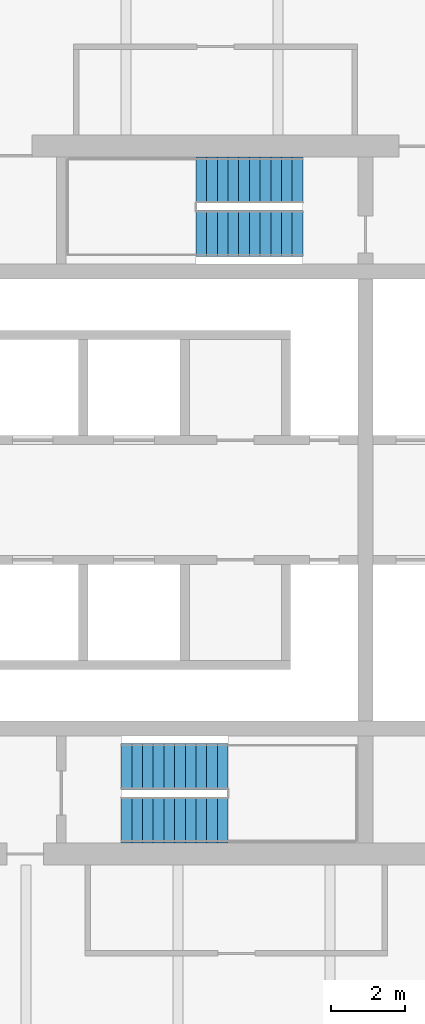
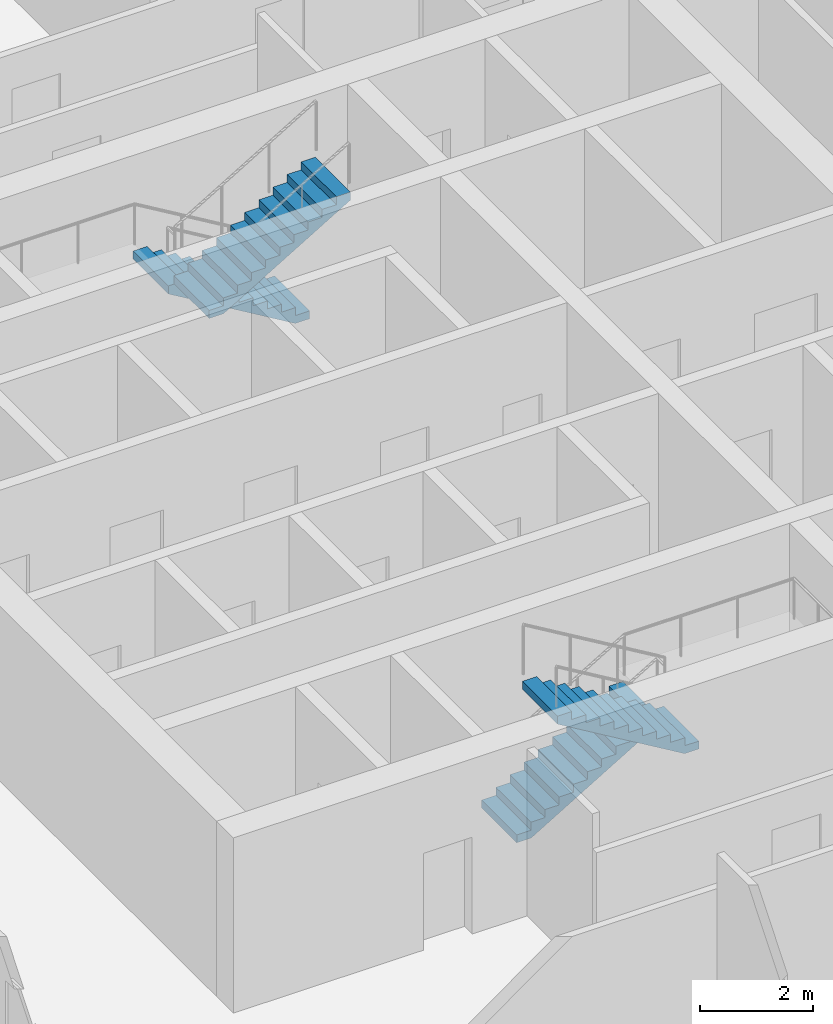
# One storey, part 7 of 8: 4 stair flights, 2 elements without a shape of their own.
"""IFC4 building model written with IfcOpenShell, lengths in metres."""

from ifc_helpers import new_model, si_unit, direction, frame, origin, place, context, subcontext, project, spatial, polyline, outline, extrude, material, type_object, element, aggregate, save


model = new_model("IFC4")

# Units and contexts
model_context = context("Model", 3, precision=1e-05, world=origin(), true_north=direction((0.0, 1.0)))
body_context = subcontext(model_context, "Body", "Model", "MODEL_VIEW")
ifc_project = project(units=[si_unit("LENGTHUNIT", "METRE"), si_unit("AREAUNIT", "SQUARE_METRE"), si_unit("VOLUMEUNIT", "CUBIC_METRE"), si_unit("PLANEANGLEUNIT", "RADIAN"), si_unit("MASSUNIT", "GRAM", prefix="KILO")], contexts=[model_context])

# Site, building, storey
site_placement = place(None, origin())
site = spatial("IfcSite", under=ifc_project, at=site_placement, CompositionType="ELEMENT")
building_placement = place(site_placement, origin())
building = spatial("IfcBuilding", under=site, at=building_placement, Name="Ostroluk Exchange", CompositionType="ELEMENT")
storey_placement = place(building_placement, frame((0.0, 0.0, 169.199951171875)))
storey = spatial("IfcBuildingStorey", under=building, at=storey_placement, Name="L43", CompositionType="ELEMENT", Elevation=169.199951171875)

# Stair, stair flights
ifc_material_1 = material(Name="Concrete C30/37", Category="concrete")
stair_type = type_object("IfcStairType", Name="Exit stair half turn 3800", PredefinedType="HALF_TURN_STAIR", material=ifc_material_1)
stair_1_placement = place(storey_placement, origin())
stair_1 = element("IfcStair", 1, at=stair_1_placement, inside=storey, type_object=stair_type, Name="Stair T1-S1 L43", PredefinedType="HALF_TURN_STAIR")
ifc_material_2 = material(Name="Concrete C30/37", Category="concrete")
stair_flight_type = type_object("IfcStairFlightType", Name="Stair flight 11 risers 172.7 x 290", PredefinedType="STRAIGHT", material=ifc_material_2)
stair_flight_1_placement = place(storey_placement, frame((42.10009765625, 38.77490234375, 0.0), z_axis=(0.0, 0.0, 1.0), x_axis=(1.0, 0.0, 0.0)))
stair_flight_1 = element("IfcStairFlight", 2, at=stair_flight_1_placement, type_object=stair_flight_type, Name="T1-S1 flight 1", NumberOfRisers=11, NumberOfTreads=10, PredefinedType="STRAIGHT", RiserHeight=0.172727273, TreadLength=0.29, context=body_context, shape_type="SweptSolid", body=[
    extrude(outline(polyline([(0.0, 0.0), (0.0, 0.172607421875), (0.2900390625, 0.172607421875), (0.2900390625, 0.345458984375), (0.580078125, 0.345458984375), (0.580078125, 0.51806640625), (0.8701171875, 0.51806640625), (0.8701171875, 0.69091796875), (1.159912109375, 0.69091796875), (1.159912109375, 0.863525390625), (1.449951171875, 0.863525390625), (1.449951171875, 1.036376953125), (1.739990234375, 1.036376953125), (1.739990234375, 1.208984375), (2.030029296875, 1.208984375), (2.030029296875, 1.3818359375), (2.320068359375, 1.3818359375), (2.320068359375, 1.554443359375), (2.610107421875, 1.554443359375), (2.610107421875, 1.727294921875), (2.89990234375, 1.727294921875), (2.89990234375, 1.89990234375), (2.89990234375, 1.552734375), (0.29296875, 0.0), (0.0, 0.0)])), frame((0.0, 0.625, 0.0), z_axis=(0.0, -1.0, 0.0), x_axis=(1.0, 0.0, 0.0)), (0.0, 0.0, 1.0), 1.25),
])
stair_flight_2_placement = place(storey_placement, frame((45.0, 37.324951171875, 1.900146484375), z_axis=(0.0, 0.0, 1.0), x_axis=(-1.0, 0.0, 0.0)))
stair_flight_2 = element("IfcStairFlight", 3, at=stair_flight_2_placement, type_object=stair_flight_type, Name="T1-S1 flight 2", NumberOfRisers=11, NumberOfTreads=10, PredefinedType="STRAIGHT", RiserHeight=0.172727273, TreadLength=0.29, context=body_context, shape_type="SweptSolid", body=[
    extrude(outline(polyline([(0.0, 0.0), (0.0, 0.172607421875), (0.2900390625, 0.172607421875), (0.2900390625, 0.345458984375), (0.580078125, 0.345458984375), (0.580078125, 0.51806640625), (0.8701171875, 0.51806640625), (0.8701171875, 0.69091796875), (1.159912109375, 0.69091796875), (1.159912109375, 0.863525390625), (1.449951171875, 0.863525390625), (1.449951171875, 1.036376953125), (1.739990234375, 1.036376953125), (1.739990234375, 1.208984375), (2.030029296875, 1.208984375), (2.030029296875, 1.3818359375), (2.320068359375, 1.3818359375), (2.320068359375, 1.554443359375), (2.610107421875, 1.554443359375), (2.610107421875, 1.727294921875), (2.89990234375, 1.727294921875), (2.89990234375, 1.89990234375), (2.89990234375, 1.552734375), (0.29296875, 0.0), (0.0, 0.0)])), frame((0.0, 0.625, 0.0), z_axis=(0.0, -1.0, 0.0), x_axis=(1.0, 0.0, 0.0)), (0.0, 0.0, 1.0), 1.25),
])
aggregate(stair_1, [stair_flight_1, stair_flight_2])

stair_2_placement = place(storey_placement, origin())
stair_2 = element("IfcStair", 4, at=stair_2_placement, inside=storey, type_object=stair_type, Name="Stair T1-S2 L43", PredefinedType="HALF_TURN_STAIR")
stair_flight_3_placement = place(storey_placement, frame((47.030029296875, 54.675048828125, 0.0), z_axis=(0.0, 0.0, 1.0), x_axis=(-1.0, 0.0, 0.0)))
stair_flight_3 = element("IfcStairFlight", 5, at=stair_flight_3_placement, type_object=stair_flight_type, Name="T1-S2 flight 1", NumberOfRisers=11, NumberOfTreads=10, PredefinedType="STRAIGHT", RiserHeight=0.172727273, TreadLength=0.29, context=body_context, shape_type="SweptSolid", body=[
    extrude(outline(polyline([(0.0, 0.0), (0.0, 0.172607421875), (0.2900390625, 0.172607421875), (0.2900390625, 0.345458984375), (0.580078125, 0.345458984375), (0.580078125, 0.51806640625), (0.8701171875, 0.51806640625), (0.8701171875, 0.69091796875), (1.159912109375, 0.69091796875), (1.159912109375, 0.863525390625), (1.449951171875, 0.863525390625), (1.449951171875, 1.036376953125), (1.739990234375, 1.036376953125), (1.739990234375, 1.208984375), (2.030029296875, 1.208984375), (2.030029296875, 1.3818359375), (2.320068359375, 1.3818359375), (2.320068359375, 1.554443359375), (2.610107421875, 1.554443359375), (2.610107421875, 1.727294921875), (2.89990234375, 1.727294921875), (2.89990234375, 1.89990234375), (2.89990234375, 1.552734375), (0.29296875, 0.0), (0.0, 0.0)])), frame((0.0, 0.625, 0.0), z_axis=(0.0, -1.0, 0.0), x_axis=(1.0, 0.0, 0.0)), (0.0, 0.0, 1.0), 1.25),
])
stair_flight_4_placement = place(storey_placement, frame((44.1298828125, 53.22509765625, 1.900146484375), z_axis=(0.0, 0.0, 1.0), x_axis=(1.0, 0.0, 0.0)))
stair_flight_4 = element("IfcStairFlight", 6, at=stair_flight_4_placement, type_object=stair_flight_type, Name="T1-S2 flight 2", NumberOfRisers=11, NumberOfTreads=10, PredefinedType="STRAIGHT", RiserHeight=0.172727273, TreadLength=0.29, context=body_context, shape_type="SweptSolid", body=[
    extrude(outline(polyline([(0.0, 0.0), (0.0, 0.172607421875), (0.2900390625, 0.172607421875), (0.2900390625, 0.345458984375), (0.580078125, 0.345458984375), (0.580078125, 0.51806640625), (0.8701171875, 0.51806640625), (0.8701171875, 0.69091796875), (1.159912109375, 0.69091796875), (1.159912109375, 0.863525390625), (1.449951171875, 0.863525390625), (1.449951171875, 1.036376953125), (1.739990234375, 1.036376953125), (1.739990234375, 1.208984375), (2.030029296875, 1.208984375), (2.030029296875, 1.3818359375), (2.320068359375, 1.3818359375), (2.320068359375, 1.554443359375), (2.610107421875, 1.554443359375), (2.610107421875, 1.727294921875), (2.89990234375, 1.727294921875), (2.89990234375, 1.89990234375), (2.89990234375, 1.552734375), (0.29296875, 0.0), (0.0, 0.0)])), frame((0.0, 0.625, 0.0), z_axis=(0.0, -1.0, 0.0), x_axis=(1.0, 0.0, 0.0)), (0.0, 0.0, 1.0), 1.25),
])
aggregate(stair_2, [stair_flight_3, stair_flight_4])

save(model, "model.ifc")
